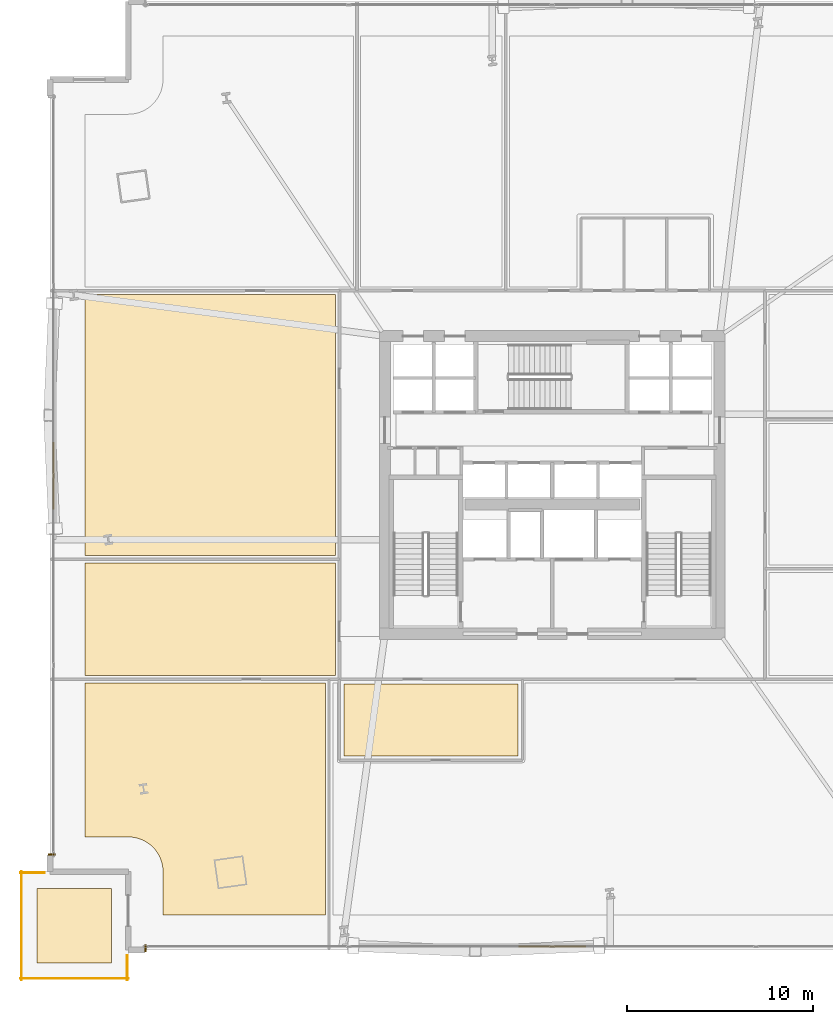
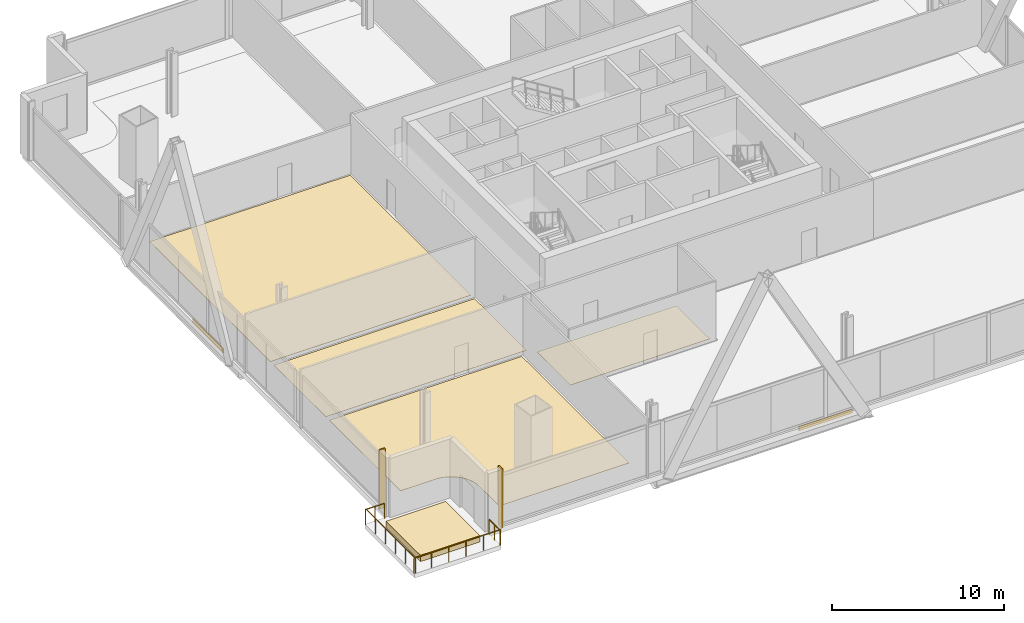
# One storey, part 24 of 29: 9 coverings, 4 railings.
"""IFC4 building model written with IfcOpenShell, lengths in metres."""

from ifc_helpers import new_model, si_unit, direction, frame, origin, origin_2d, place, context, subcontext, project, spatial, polyline, rectangle, outline, extrude, source, transform, mapped, material, layer, layer_set, type_object, element, save


model = new_model("IFC4")

# Units and contexts
model_context = context("Model", 3, precision=1e-05, world=origin(), true_north=direction((0.0, 1.0)))
body_context = subcontext(model_context, "Body", "Model", "MODEL_VIEW")
ifc_project = project(units=[si_unit("LENGTHUNIT", "METRE"), si_unit("AREAUNIT", "SQUARE_METRE"), si_unit("VOLUMEUNIT", "CUBIC_METRE"), si_unit("PLANEANGLEUNIT", "RADIAN"), si_unit("MASSUNIT", "GRAM", prefix="KILO")], contexts=[model_context])

# Site, building, storey
site_placement = place(None, origin())
site = spatial("IfcSite", under=ifc_project, at=site_placement, CompositionType="ELEMENT")
building_placement = place(site_placement, origin())
building = spatial("IfcBuilding", under=site, at=building_placement, Name="Haldenkirk Collegiate Tower", CompositionType="ELEMENT")
storey_placement = place(building_placement, frame((0.0, 0.0, 28.199951171875)))
storey = spatial("IfcBuildingStorey", under=building, at=storey_placement, Name="L05", CompositionType="ELEMENT", Elevation=28.199951171875)

# Coverings
ifc_material_1 = material(Name="Polished collegiate terrazzo", Category="concrete")
ifc_layer_1 = layer(ifc_material_1, 0.02490234375)
ifc_layer_set_1 = layer_set([ifc_layer_1], Name="Polished collegiate terrazzo")
covering_type_1 = type_object("IfcCoveringType", Name="COV-FLOOR-TERRAZZO", PredefinedType="FLOORING", material=ifc_layer_set_1)
covering_1_placement = place(storey_placement, origin())
element("IfcCovering", 1, at=covering_1_placement, inside=storey, type_object=covering_type_1, Name="L05 academic room finish 02", PredefinedType="FLOORING", context=body_context, shape_type="SweptSolid", body=[
    extrude(outline(polyline([(14.851806640625, 6.076171875), (14.84619140625, 6.086669921875), (14.758056640625, 6.23388671875), (14.75146484375, 6.24365234375), (14.649169921875, 6.381591796875), (14.6416015625, 6.390869140625), (14.5263671875, 6.51806640625), (14.51806640625, 6.5263671875), (14.390869140625, 6.6416015625), (14.381591796875, 6.649169921875), (14.24365234375, 6.75146484375), (14.23388671875, 6.758056640625), (14.086669921875, 6.84619140625), (14.076171875, 6.851806640625), (13.9208984375, 6.92529296875), (13.91015625, 6.9296875), (13.748291015625, 6.987548828125), (13.7373046875, 6.990966796875), (13.570556640625, 7.03271484375), (13.55908203125, 7.03515625), (13.38916015625, 7.060302734375), (13.37744140625, 7.0615234375), (13.205810546875, 7.06982421875), (13.199951171875, 7.070068359375), (10.8701171875, 7.070068359375), (10.8701171875, 15.35009765625), (23.800048828125, 15.35009765625), (23.800048828125, 2.8701171875), (15.070068359375, 2.8701171875), (15.070068359375, 5.199951171875), (15.06982421875, 5.205810546875), (15.0615234375, 5.37744140625), (15.060302734375, 5.38916015625), (15.03515625, 5.55908203125), (15.03271484375, 5.570556640625), (14.990966796875, 5.7373046875), (14.987548828125, 5.748291015625), (14.9296875, 5.91015625), (14.92529296875, 5.9208984375), (14.851806640625, 6.076171875)])), origin(), (0.0, 0.0, 1.0), 0.025146484375),
])
covering_2_placement = place(storey_placement, origin())
element("IfcCovering", 2, at=covering_2_placement, inside=storey, type_object=covering_type_1, Name="L05 academic room finish 08", PredefinedType="FLOORING", context=body_context, shape_type="SweptSolid", body=[
    extrude(outline(polyline([(10.8701171875, 36.25), (24.35009765625, 36.25), (24.35009765625, 22.199951171875), (10.8701171875, 22.199951171875), (10.8701171875, 36.25)])), origin(), (0.0, 0.0, 1.0), 0.025146484375),
])
ifc_material_2 = material(Name="Engineered collegiate oak acoustic flooring", Category="wood")
ifc_layer_2 = layer(ifc_material_2, 0.02197265625)
ifc_layer_set_2 = layer_set([ifc_layer_2], Name="Engineered collegiate oak acoustic flooring")
covering_type_2 = type_object("IfcCoveringType", Name="COV-FLOOR-TIMBER", PredefinedType="FLOORING", material=ifc_layer_set_2)
covering_3_placement = place(storey_placement, origin())
element("IfcCovering", 3, at=covering_3_placement, inside=storey, type_object=covering_type_2, Name="L05 academic room finish 01", PredefinedType="FLOORING", context=body_context, shape_type="SweptSolid", body=[
    extrude(outline(polyline([(24.800048828125, 11.419921875), (24.800048828125, 15.300048828125), (34.159912109375, 15.300048828125), (34.159912109375, 11.419921875), (24.800048828125, 11.419921875)])), origin(), (0.0, 0.0, 1.0), 0.02197265625),
])
covering_4_placement = place(storey_placement, origin())
element("IfcCovering", 4, at=covering_4_placement, inside=storey, type_object=covering_type_2, Name="L05 academic room finish 07", PredefinedType="FLOORING", context=body_context, shape_type="SweptSolid", body=[
    extrude(outline(polyline([(10.8701171875, 21.800048828125), (24.35009765625, 21.800048828125), (24.35009765625, 15.75), (10.8701171875, 15.75), (10.8701171875, 21.800048828125)])), origin(), (0.0, 0.0, 1.0), 0.02197265625),
])
ifc_material_3 = material(Name="Precast concrete f'c 40 MPa", Category="concrete")
ifc_layer_3 = layer(ifc_material_3, 0.449951171875)
ifc_layer_set_3 = layer_set([ifc_layer_3], Name="Precast concrete f'c 40 MPa")
covering_type_3 = type_object("IfcCoveringType", Name="COV-PLANTER-450", PredefinedType="USERDEFINED", material=ifc_layer_set_3)
covering_5_placement = place(storey_placement, origin())
element("IfcCovering", 5, at=covering_5_placement, inside=storey, type_object=covering_type_3, Name="L05 planted garden planter bed", ObjectType="PLANTER", PredefinedType="USERDEFINED", context=body_context, shape_type="SweptSolid", body=[
    extrude(outline(polyline([(8.300048828125, 0.300048828125), (8.300048828125, 4.300048828125), (12.300048828125, 4.300048828125), (12.300048828125, 0.300048828125), (8.300048828125, 0.300048828125)])), origin(), (0.0, 0.0, 1.0), 0.449951171875),
])

# Railings
ifc_material_4 = material(Name="Anodised architectural bronze aluminium", Category="aluminium")
railing_type = type_object("IfcRailingType", Name="RLG-TERR-BALUSTRADE-1100", PredefinedType="BALUSTRADE", material=ifc_material_4)
railing_1_placement = place(storey_placement, frame((7.39990234375, -0.5400390625, 0.0)))
element("IfcRailing", 6, at=railing_1_placement, inside=storey, type_object=railing_type, Name="L05 terrace guard balustrade 1-1", PredefinedType="BALUSTRADE", context=body_context, shape_type="SweptSolid", body=[
    extrude(rectangle(XDim=0.048095703125, YDim=0.048095703125, at=origin_2d()), frame((0.0, 0.0, 1.076171875), z_axis=(1.0, 0.0, 0.0), x_axis=(0.0, 1.0, 0.0)), (0.0, 0.0, 1.0), 5.800048828125),
    extrude(rectangle(XDim=0.0419921875, YDim=0.0419921875, at=origin_2d()), origin(), (0.0, 0.0, 1.0), 1.052001953125),
    extrude(rectangle(XDim=0.0419921875, YDim=0.0419921875, at=origin_2d()), frame((1.159912109375, 0.0, 0.0)), (0.0, 0.0, 1.0), 1.052001953125),
    extrude(rectangle(XDim=0.0419921875, YDim=0.0419921875, at=origin_2d()), frame((2.320068359375, 0.0, 0.0)), (0.0, 0.0, 1.0), 1.052001953125),
    extrude(rectangle(XDim=0.0419921875, YDim=0.0419921875, at=origin_2d()), frame((3.47998046875, 0.0, 0.0)), (0.0, 0.0, 1.0), 1.052001953125),
    extrude(rectangle(XDim=0.0419921875, YDim=0.0419921875, at=origin_2d()), frame((4.64013671875, 0.0, 0.0)), (0.0, 0.0, 1.0), 1.052001953125),
    extrude(rectangle(XDim=0.0419921875, YDim=0.0419921875, at=origin_2d()), frame((5.800048828125, 0.0, 0.0)), (0.0, 0.0, 1.0), 1.052001953125),
])
railing_2_placement = place(storey_placement, frame((13.139892578125, -0.60009765625, 0.0)))
element("IfcRailing", 7, at=railing_2_placement, inside=storey, type_object=railing_type, Name="L05 terrace guard balustrade 2-1", PredefinedType="BALUSTRADE", context=body_context, shape_type="SweptSolid", body=[
    extrude(rectangle(XDim=0.048095703125, YDim=0.048095703125, at=origin_2d()), frame((0.0, 0.0, 1.076171875), z_axis=(0.0, 1.0, 0.0), x_axis=(-1.0, 0.0, 0.0)), (0.0, 0.0, 1.0), 1.280029296875),
    extrude(rectangle(XDim=0.0419921875, YDim=0.0419921875, at=origin_2d()), origin(), (0.0, 0.0, 1.0), 1.052001953125),
    extrude(rectangle(XDim=0.0419921875, YDim=0.0419921875, at=origin_2d()), frame((0.0, 0.64013671875, 0.0)), (0.0, 0.0, 1.0), 1.052001953125),
    extrude(rectangle(XDim=0.0419921875, YDim=0.0419921875, at=origin_2d()), frame((0.0, 1.280029296875, 0.0)), (0.0, 0.0, 1.0), 1.052001953125),
])
railing_3_placement = place(storey_placement, frame((8.679931640625, 5.139892578125, 0.0)))
element("IfcRailing", 8, at=railing_3_placement, inside=storey, type_object=railing_type, Name="L05 terrace guard balustrade 3-1", PredefinedType="BALUSTRADE", context=body_context, shape_type="SweptSolid", body=[
    extrude(rectangle(XDim=0.048095703125, YDim=0.048095703125, at=origin_2d()), frame((0.0, 0.0, 1.076171875), z_axis=(-1.0, 0.0, 0.0), x_axis=(0.0, -1.0, 0.0)), (0.0, 0.0, 1.0), 1.280029296875),
    extrude(rectangle(XDim=0.0419921875, YDim=0.0419921875, at=origin_2d()), origin(), (0.0, 0.0, 1.0), 1.052001953125),
    extrude(rectangle(XDim=0.0419921875, YDim=0.0419921875, at=origin_2d()), frame((-0.64013671875, 0.0, 0.0)), (0.0, 0.0, 1.0), 1.052001953125),
    extrude(rectangle(XDim=0.0419921875, YDim=0.0419921875, at=origin_2d()), frame((-1.280029296875, 0.0, 0.0)), (0.0, 0.0, 1.0), 1.052001953125),
])
railing_4_placement = place(storey_placement, frame((7.4599609375, 5.199951171875, 0.0)))
element("IfcRailing", 9, at=railing_4_placement, inside=storey, type_object=railing_type, Name="L05 terrace guard balustrade 4-1", PredefinedType="BALUSTRADE", context=body_context, shape_type="SweptSolid", body=[
    extrude(rectangle(XDim=0.048095703125, YDim=0.048095703125, at=origin_2d()), frame((0.0, 0.0, 1.076171875), z_axis=(0.0, -1.0, 0.0), x_axis=(1.0, 0.0, 0.0)), (0.0, 0.0, 1.0), 5.800048828125),
    extrude(rectangle(XDim=0.0419921875, YDim=0.0419921875, at=origin_2d()), origin(), (0.0, 0.0, 1.0), 1.052001953125),
    extrude(rectangle(XDim=0.0419921875, YDim=0.0419921875, at=origin_2d()), frame((0.0, -1.159912109375, 0.0)), (0.0, 0.0, 1.0), 1.052001953125),
    extrude(rectangle(XDim=0.0419921875, YDim=0.0419921875, at=origin_2d()), frame((0.0, -2.320068359375, 0.0)), (0.0, 0.0, 1.0), 1.052001953125),
    extrude(rectangle(XDim=0.0419921875, YDim=0.0419921875, at=origin_2d()), frame((0.0, -3.47998046875, 0.0)), (0.0, 0.0, 1.0), 1.052001953125),
    extrude(rectangle(XDim=0.0419921875, YDim=0.0419921875, at=origin_2d()), frame((0.0, -4.64013671875, 0.0)), (0.0, 0.0, 1.0), 1.052001953125),
    extrude(rectangle(XDim=0.0419921875, YDim=0.0419921875, at=origin_2d()), frame((0.0, -5.800048828125, 0.0)), (0.0, 0.0, 1.0), 1.052001953125),
])

# Coverings
ifc_layer_4 = layer(ifc_material_4, 0.06005859375)
ifc_layer_set_4 = layer_set([ifc_layer_4], Name="Anodised architectural bronze aluminium")
covering_type_4 = type_object("IfcCoveringType", Name="COV-CLAD-BRONZE-60", PredefinedType="CLADDING", material=ifc_layer_set_4)
shared_shape_1 = source(origin(), body_context, "Body", "SweptSolid", [
    extrude(rectangle(XDim=0.10009765625, YDim=0.3798828125, at=origin_2d()), origin(), (0.0, 0.0, 1.0), 4.18994140625),
])
for number, where, z_axis, x_axis, name in (
    (10, (14.1298828125, 1.090087890625, 0.0), (0.0, 0.0, 1.0), (-1.0, 0.0, 0.0), "L05 recessed curtain-wall bronze jamb closure SJR"),
    (11, (9.090087890625, 6.1298828125, 0.0), (0.0, 0.0, 1.0), (0.0, 1.0, 0.0), "L05 recessed curtain-wall bronze jamb closure WJL"),
):
    element("IfcCovering", number, at=place(storey_placement, frame(where, z_axis=z_axis, x_axis=x_axis)), inside=storey, type_object=covering_type_4, Name=name, PredefinedType="CLADDING", context=body_context, shape_type="MappedRepresentation", body=[
        mapped(shared_shape_1, transform((0.0, 0.0, 0.0), x_axis=(1.0, 0.0, 0.0), y_axis=(0.0, 1.0, 0.0), z_axis=(0.0, 0.0, 1.0), scale=1.0)),
    ])
shared_shape_2 = source(origin(), body_context, "Body", "SweptSolid", [
    extrude(rectangle(XDim=3.60009765625, YDim=0.06005859375, at=origin_2d()), origin(), (0.0, 0.0, 1.0), 0.300048828125),
])
for number, where, z_axis, x_axis, name in (
    (12, (36.0, 1.179931640625, -0.2998046875), (0.0, 0.0, 1.0), (-1.0, 0.0, 0.0), "L05 architectural bronze spandrel cladding S"),
    (13, (9.179931640625, 26.5, -0.2998046875), (0.0, 0.0, 1.0), (0.0, 1.0, 0.0), "L05 architectural bronze spandrel cladding W"),
):
    element("IfcCovering", number, at=place(storey_placement, frame(where, z_axis=z_axis, x_axis=x_axis)), inside=storey, type_object=covering_type_4, Name=name, PredefinedType="CLADDING", context=body_context, shape_type="MappedRepresentation", body=[
        mapped(shared_shape_2, transform((0.0, 0.0, 0.0), x_axis=(1.0, 0.0, 0.0), y_axis=(0.0, 1.0, 0.0), z_axis=(0.0, 0.0, 1.0), scale=1.0)),
    ])

save(model, "model.ifc")
